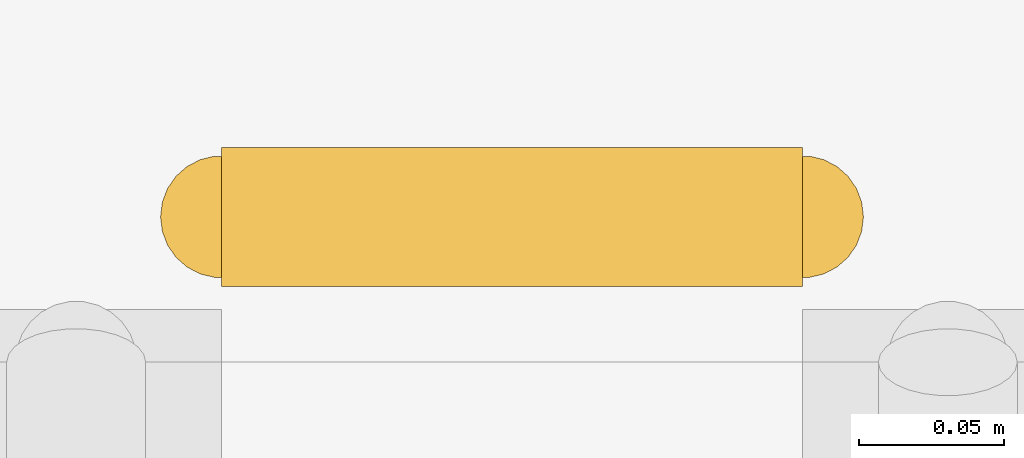
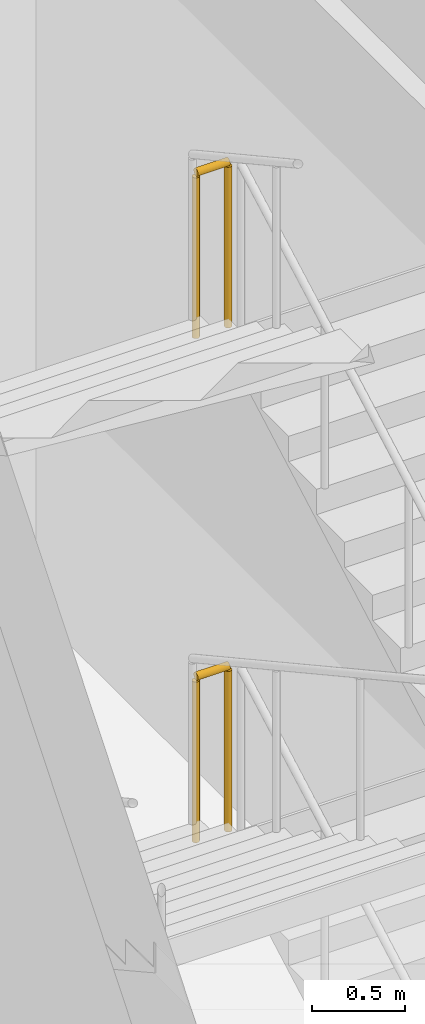
# One storey, part 106 of 115: 2 railings.
"""IFC4 building model written with IfcOpenShell, lengths in metres."""

from ifc_helpers import new_model, si_unit, direction, frame, origin, origin_2d, place, context, subcontext, project, spatial, circle, extrude, material, type_object, element, save


model = new_model("IFC4")

# Units and contexts
model_context = context("Model", 3, precision=1e-05, world=origin(), true_north=direction((0.0, 1.0)))
body_context = subcontext(model_context, "Body", "Model", "MODEL_VIEW")
ifc_project = project(units=[si_unit("LENGTHUNIT", "METRE"), si_unit("AREAUNIT", "SQUARE_METRE"), si_unit("VOLUMEUNIT", "CUBIC_METRE"), si_unit("PLANEANGLEUNIT", "RADIAN"), si_unit("MASSUNIT", "GRAM", prefix="KILO")], contexts=[model_context])

# Site, building, storey
site_placement = place(None, origin())
site = spatial("IfcSite", under=ifc_project, at=site_placement, CompositionType="ELEMENT")
building_placement = place(site_placement, origin())
building = spatial("IfcBuilding", under=site, at=building_placement, Name="Tamarisk Ironworks Central Station", CompositionType="ELEMENT")
storey_placement = place(building_placement, origin())
storey = spatial("IfcBuildingStorey", under=building, at=storey_placement, Name="L00", CompositionType="ELEMENT", Elevation=0.0)

# Railings
ifc_material = material(Name="Brushed stainless steel AISI 316", Category="steel")
railing_type = type_object("IfcRailingType", Name="RL-GUARD-INT", PredefinedType="BALUSTRADE", material=ifc_material)
for number, where, name in (
    (1, (13.949951171875, 96.449951171875, 1.64990234375), "L00 ST-C6 stair guard 2"),
    (2, (13.949951171875, 96.449951171875, 4.949951171875), "L00 ST-C6 stair guard 6"),
):
    element("IfcRailing", number, at=place(storey_placement, frame(where)), inside=storey, type_object=railing_type, Name=name, PredefinedType="BALUSTRADE", context=body_context, shape_type="SweptSolid", body=[
        extrude(circle(Radius=0.02392578125, at=origin_2d()), frame((0.0, 0.0, 1.076171875), z_axis=(-1.0, 0.0, 0.0), x_axis=(0.0, -1.0, 0.0)), (0.0, 0.0, 1.0), 0.199951171875),
        extrude(circle(Radius=0.02099609375, at=origin_2d()), origin(), (0.0, 0.0, 1.0), 1.052001953125),
        extrude(circle(Radius=0.02099609375, at=origin_2d()), frame((-0.199951171875, 0.0, 0.0)), (0.0, 0.0, 1.0), 1.052001953125),
    ])

save(model, "model.ifc")
